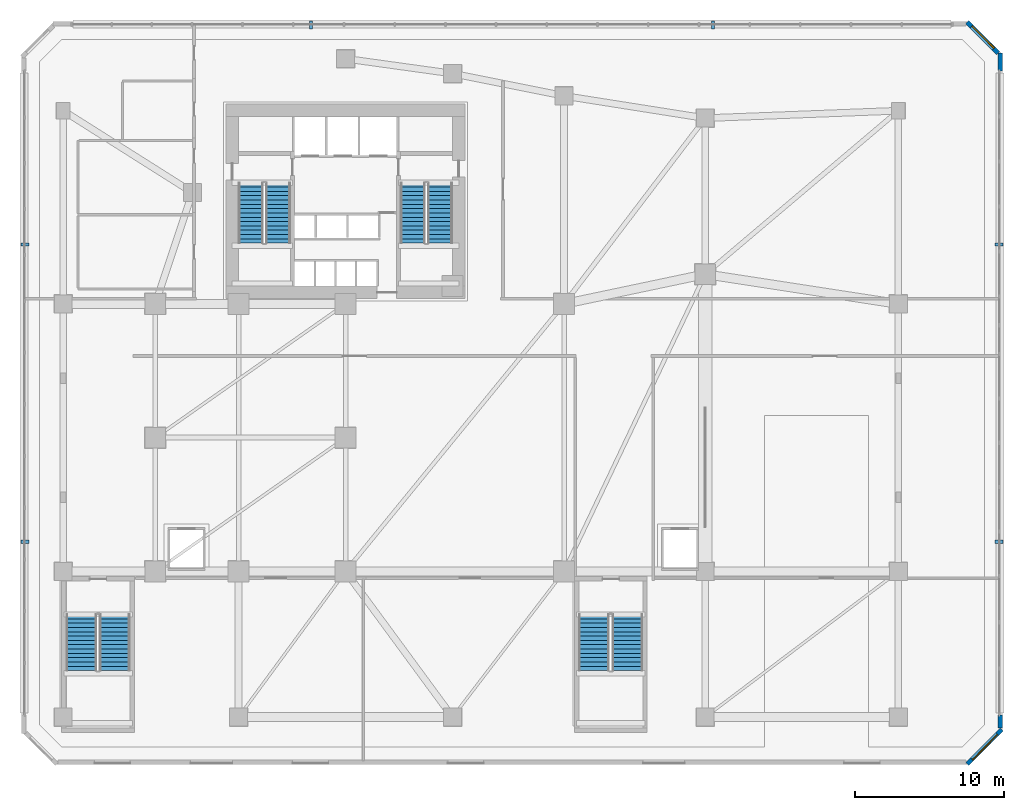
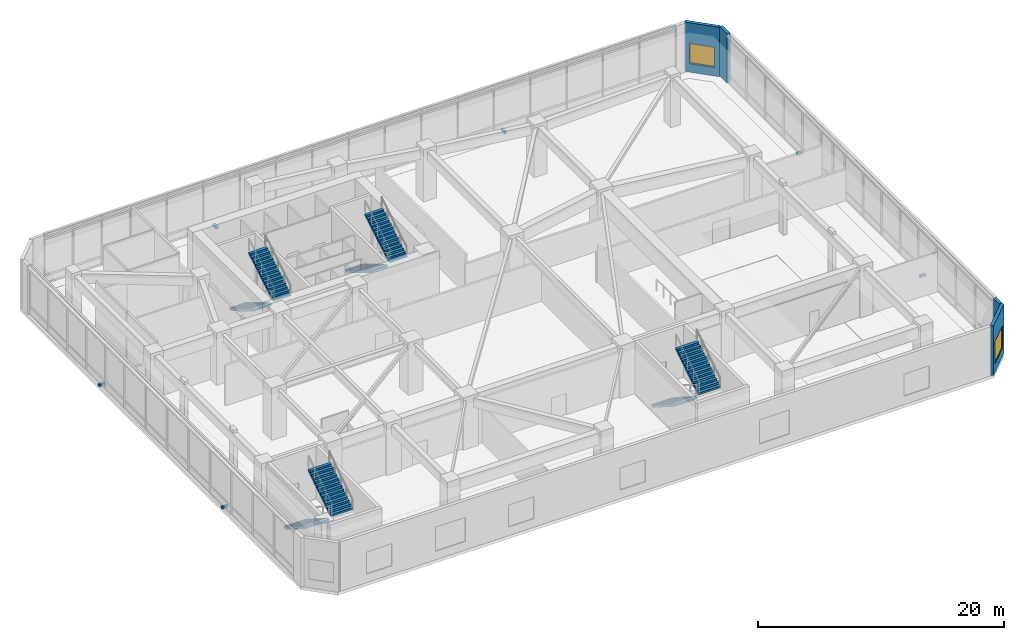
# One storey, part 12 of 18: 8 stair flights, 6 discrete accessories, 4 walls, 2 windows, 2 openings, 4 elements without a shape of their own.
"""IFC4 building model written with IfcOpenShell, lengths in metres."""

import ifcopenshell
import ifcopenshell.guid

model = None  # the IFC model being written
_history = None  # IfcOwnerHistory: only IFC2X3 demands one
_inside = {}  # id of a spatial element -> (the spatial element, [elements in it])
_under = {}  # id of a project, library or spatial element -> (it, [spatial elements below it])
_declared = {}  # id of a project -> (the project, [libraries it declares])
_typed = {}  # id of a type object -> (the type object, [elements of that type])
_made_of = {}  # id of a material, layer set ... -> (it, [elements and type objects made of it])


def new_model(schema):
    """Start an empty IFC model of exactly this schema.

    Asked for "IFC4X3", IfcOpenShell would pick the latest addendum, in which some entities
    have other attributes; the version numbers below select the first issue.
    IFC2X3 requires an IfcOwnerHistory on every rooted entity: one is made here for all.
    """
    global model, _history
    if schema == "IFC4X3":
        model = ifcopenshell.file(schema_version=(4, 3, 0, 0))
    else:
        model = ifcopenshell.file(schema=schema)
    _inside.clear()
    _under.clear()
    _declared.clear()
    _typed.clear()
    _made_of.clear()
    _history = None
    if model.schema == "IFC2X3":
        org = make("IfcOrganization", Name="unknown")
        user = make(
            "IfcPersonAndOrganization",
            ThePerson=make("IfcPerson", FamilyName="unknown"),
            TheOrganization=org,
        )
        app = make(
            "IfcApplication",
            ApplicationDeveloper=org,
            Version="unknown",
            ApplicationFullName="unknown",
            ApplicationIdentifier="unknown",
        )
        _history = make(
            "IfcOwnerHistory",
            OwningUser=user,
            OwningApplication=app,
            ChangeAction="ADDED",
            CreationDate=0,
        )
    return model


def make(cls, **values):
    """One entity of the class cls with the attributes given. An attribute that is None is left unset."""
    return model.create_entity(
        cls, **{name: value for name, value in values.items() if value is not None}
    )


def rooted(cls, **values):
    """An entity with a GlobalId (a new one), such as an element, a storey or a relation."""
    return make(cls, GlobalId=ifcopenshell.guid.new(), OwnerHistory=_history, **values)


def si_unit(unit_type, name, prefix=None):
    """IfcSIUnit, for example si_unit("LENGTHUNIT", "METRE", prefix="MILLI")."""
    return make("IfcSIUnit", UnitType=unit_type, Prefix=prefix, Name=name)


def assignment(units):
    """IfcUnitAssignment: the units of a project."""
    return None if units is None else make("IfcUnitAssignment", Units=units)


def point(xyz):
    """IfcCartesianPoint."""
    return None if xyz is None else make("IfcCartesianPoint", Coordinates=xyz)


def direction(xyz):
    """IfcDirection."""
    return None if xyz is None else make("IfcDirection", DirectionRatios=xyz)


def frame(location, z_axis=None, x_axis=None):
    """IfcAxis2Placement3D, a coordinate frame: its origin and axes. An axis left out is left unset."""
    return make(
        "IfcAxis2Placement3D",
        Location=point(location),
        Axis=direction(z_axis),
        RefDirection=direction(x_axis),
    )


def frame_2d(location, x_axis=None):
    """IfcAxis2Placement2D, a coordinate frame in the plane: its origin and x axis."""
    return make(
        "IfcAxis2Placement2D", Location=point(location), RefDirection=direction(x_axis)
    )


def origin():
    """The frame at (0, 0, 0) with its axes left unset."""
    return frame((0.0, 0.0, 0.0))


def origin_2d():
    """The frame at (0, 0) in the plane with its x axis left unset."""
    return frame_2d((0.0, 0.0))


def place(relative_to, where):
    """IfcLocalPlacement: puts the frame where relative to a parent placement (None: the world)."""
    return make(
        "IfcLocalPlacement", PlacementRelTo=relative_to, RelativePlacement=where
    )


def context(
    kind, dimensions, precision=None, world=None, true_north=None, identifier=None
):
    """IfcGeometricRepresentationContext, for example the 3D "Model" context."""
    return make(
        "IfcGeometricRepresentationContext",
        ContextIdentifier=identifier,
        ContextType=kind,
        CoordinateSpaceDimension=dimensions,
        Precision=precision,
        WorldCoordinateSystem=world,
        TrueNorth=true_north,
    )


def subcontext(parent, identifier, kind, view, scale=None):
    """IfcGeometricRepresentationSubContext, for example "Body" below "Model"."""
    return make(
        "IfcGeometricRepresentationSubContext",
        ContextIdentifier=identifier,
        ContextType=kind,
        ParentContext=parent,
        TargetScale=scale,
        TargetView=view,
    )


def project(units=None, contexts=None):
    """IfcProject with its units and contexts."""
    return rooted(
        "IfcProject",
        Name="project",
        RepresentationContexts=contexts,
        UnitsInContext=assignment(units),
    )


def spatial(cls, under=None, at=None, **own):
    """A site, building, storey or space (cls), placed at a placement, below another one or the project."""
    s = rooted(cls, ObjectPlacement=at, **own)
    if under is not None:
        _under.setdefault(under.id(), (under, []))[1].append(s)
    return s


def polyline(points):
    """IfcPolyline through the points."""
    return make("IfcPolyline", Points=[point(p) for p in points])


def profile(cls, at=None, kind="AREA", **sizes):
    """A parametric profile (cls). Its sizes go by their IFC names, for example OverallWidth=200.0."""
    return make(cls, ProfileType=kind, Position=at, **sizes)


def rectangle(**sizes):
    """IfcRectangleProfileDef."""
    return profile("IfcRectangleProfileDef", **sizes)


def outline(outer, holes=None, kind="AREA"):
    """IfcArbitraryClosedProfileDef: a profile drawn as a closed curve; with holes, ...WithVoids."""
    if holes is None:
        return make("IfcArbitraryClosedProfileDef", ProfileType=kind, OuterCurve=outer)
    return make(
        "IfcArbitraryProfileDefWithVoids",
        ProfileType=kind,
        OuterCurve=outer,
        InnerCurves=holes,
    )


def extrude(swept, where, along, depth):
    """IfcExtrudedAreaSolid: the profile swept, set in the frame where, extruded along a direction by depth."""
    return make(
        "IfcExtrudedAreaSolid",
        SweptArea=swept,
        Position=where,
        ExtrudedDirection=direction(along),
        Depth=depth,
    )


def shape(context_of_items, identifier, shape_type, items):
    """IfcShapeRepresentation: the items that make up one representation, for example the "Body"."""
    return make(
        "IfcShapeRepresentation",
        ContextOfItems=context_of_items,
        RepresentationIdentifier=identifier,
        RepresentationType=shape_type,
        Items=items,
    )


def source(mapping_origin, context_of_items, identifier, shape_type, items):
    """IfcRepresentationMap: a shape defined once, which mapped items show again and again."""
    return make(
        "IfcRepresentationMap",
        MappingOrigin=mapping_origin,
        MappedRepresentation=shape(context_of_items, identifier, shape_type, items),
    )


def transform(
    local_origin,
    x_axis=None,
    y_axis=None,
    z_axis=None,
    scale=None,
    scale2=None,
    scale3=None,
    uniform=True,
):
    """IfcCartesianTransformationOperator3D, or its non-uniform kind. x_axis, y_axis, z_axis: its Axis1, 2, 3."""
    if uniform:
        return make(
            "IfcCartesianTransformationOperator3D",
            Axis1=direction(x_axis),
            Axis2=direction(y_axis),
            LocalOrigin=point(local_origin),
            Scale=scale,
            Axis3=direction(z_axis),
        )
    return make(
        "IfcCartesianTransformationOperator3DnonUniform",
        Axis1=direction(x_axis),
        Axis2=direction(y_axis),
        LocalOrigin=point(local_origin),
        Scale=scale,
        Axis3=direction(z_axis),
        Scale2=scale2,
        Scale3=scale3,
    )


def mapped(mapping_source, mapping_target):
    """IfcMappedItem: shows the shape of a source again, moved by a transform."""
    return make(
        "IfcMappedItem", MappingSource=mapping_source, MappingTarget=mapping_target
    )


def material(Name=None, Category=None):
    """IfcMaterial."""
    return make("IfcMaterial", Name=Name, Category=Category)


def layer(
    of_material, thickness, ventilated=None, Name=None, Category=None, Priority=None
):
    """IfcMaterialLayer: one layer of a wall or slab, of a material (None: an air gap)."""
    return make(
        "IfcMaterialLayer",
        Material=of_material,
        LayerThickness=thickness,
        IsVentilated=ventilated,
        Name=Name,
        Category=Category,
        Priority=Priority,
    )


def layer_set(layers, Name=None):
    """IfcMaterialLayerSet."""
    return make("IfcMaterialLayerSet", MaterialLayers=layers, LayerSetName=Name)


def made_of(thing, what):
    """Note that an element or type object is made of a material, layer set ...; save() writes the relation."""
    if what is not None:
        _made_of.setdefault(what.id(), (what, []))[1].append(thing)
    return thing


def type_object(cls, material=None, **own):
    """A type object (cls), such as IfcWallType, which elements share."""
    return made_of(rooted(cls, **own), material)


def element(
    cls,
    number,
    at=None,
    inside=None,
    cuts=None,
    type_object=None,
    material=None,
    context=None,
    identifier="Body",
    shape_type=None,
    held_by="IfcProductDefinitionShape",
    body=None,
    shapes=None,
    **own,
):
    """One element of the class cls, such as IfcWall. Its Tag is "e" and its number.

    at: its placement. inside: the storey or other place that contains it. cuts: it is an
    opening in that element (IfcRelVoidsElement). A single representation is given by context,
    identifier, shape_type and body (its items); several are given by shapes. held_by: the class
    of the entity that holds the representations. save() writes the other relations.
    """
    e = rooted(cls, Tag="e%d" % number, ObjectPlacement=at, **own)
    if body is not None:
        shapes = [shape(context, identifier, shape_type, body)]
    if shapes is not None:
        e.Representation = make(held_by, Representations=shapes)
    if inside is not None:
        _inside.setdefault(inside.id(), (inside, []))[1].append(e)
    if cuts is not None:
        rooted(
            "IfcRelVoidsElement", RelatingBuildingElement=cuts, RelatedOpeningElement=e
        )
    if type_object is not None:
        _typed.setdefault(type_object.id(), (type_object, []))[1].append(e)
    return made_of(e, material)


def fill(opening, filler):
    """IfcRelFillsElement: the door or window that sits in an opening."""
    return rooted(
        "IfcRelFillsElement",
        RelatingOpeningElement=opening,
        RelatedBuildingElement=filler,
    )


def aggregate(whole, parts):
    """IfcRelAggregates: a whole, such as a stair, and the parts it consists of."""
    return rooted("IfcRelAggregates", RelatingObject=whole, RelatedObjects=parts)


def save(model, path):
    """Write the relations noted so far, then the file.

    IfcRelAggregates (storeys below a building ...), IfcRelContainedInSpatialStructure (elements
    in a storey), IfcRelDefinesByType, IfcRelAssociatesMaterial and IfcRelDeclares: one each for
    every whole, place, type object, material and project.
    """
    for whole, parts in _under.values():
        aggregate(whole, parts)
    for where, things in _inside.values():
        rooted(
            "IfcRelContainedInSpatialStructure",
            RelatedElements=things,
            RelatingStructure=where,
        )
    for kind, things in _typed.values():
        rooted("IfcRelDefinesByType", RelatedObjects=things, RelatingType=kind)
    for what, things in _made_of.values():
        rooted("IfcRelAssociatesMaterial", RelatedObjects=things, RelatingMaterial=what)
    for by, libraries in _declared.values():
        rooted("IfcRelDeclares", RelatingContext=by, RelatedDefinitions=libraries)
    model.write(path)


model = new_model("IFC4")

# Units and contexts
model_context = context("Model", 3, precision=1e-05, world=origin(), true_north=direction((0.0, 1.0)))
body_context = subcontext(model_context, "Body", "Model", "MODEL_VIEW")
ifc_project = project(units=[si_unit("LENGTHUNIT", "METRE"), si_unit("AREAUNIT", "SQUARE_METRE"), si_unit("VOLUMEUNIT", "CUBIC_METRE"), si_unit("PLANEANGLEUNIT", "RADIAN"), si_unit("MASSUNIT", "GRAM", prefix="KILO")], contexts=[model_context])

# Site, building, storey
site_placement = place(None, origin())
site = spatial("IfcSite", under=ifc_project, at=site_placement, CompositionType="ELEMENT")
building_placement = place(site_placement, origin())
building = spatial("IfcBuilding", under=site, at=building_placement, Name="Calvemar Wedge Station Tower", CompositionType="ELEMENT")
storey_placement = place(building_placement, frame((0.0, 0.0, 11.199951171875)))
storey = spatial("IfcBuildingStorey", under=building, at=storey_placement, Name="L03", CompositionType="ELEMENT", Elevation=11.199951171875)

# Wall, opening, window
ifc_material_1 = material(Name="Precast concrete C45", Category="concrete")
ifc_layer = layer(ifc_material_1, 0.300048828125)
ifc_layer_set = layer_set([ifc_layer], Name="Precast concrete C45")
wall_type = type_object("IfcWallType", Name="W-EXT-GFRC-300", PredefinedType="SOLIDWALL", material=ifc_layer_set)
wall_1_placement = place(storey_placement, frame((65.6318359375, 2.0439453125, 0.0), z_axis=(0.0, 0.0, 1.0), x_axis=(0.707106781187, 0.707106781187, 0.0)))
wall_1 = element("IfcWall", 1, at=wall_1_placement, inside=storey, type_object=wall_type, Name="Storey L03 Bronze GFRC Exterior Wall 1", PredefinedType="SOLIDWALL", context=body_context, shape_type="SweptSolid", body=[
    extrude(rectangle(XDim=3.286865234375, YDim=0.300048828125, at=frame_2d((1.6435546875, 0.0))), origin(), (0.0, 0.0, 1.0), 4.900146484375),
])
shared_shape_1 = source(origin(), body_context, "Body", "SweptSolid", [
    extrude(rectangle(XDim=2.39990234375, YDim=2.199951171875, at=frame_2d((1.199951171875, 1.10009765625))), frame((0.0, 0.16015625, 0.0), z_axis=(0.0, -1.0, 0.0), x_axis=(1.0, 0.0, 0.0)), (0.0, 0.0, 1.0), 0.320068359375),
])
opening_1_placement = place(wall_1_placement, frame((0.444091796875, 0.0, 0.85009765625)))
opening_1 = element("IfcOpeningElement", 2, at=opening_1_placement, cuts=wall_1, Name="Opening W1", PredefinedType="OPENING", context=body_context, shape_type="MappedRepresentation", body=[
    mapped(shared_shape_1, transform((0.0, 0.0, 0.0), scale=1.0)),
])
ifc_material_2 = material(Name="Low-E laminated insulated glass", Category="glass")
window_type_1 = type_object("IfcWindowType", Name="WIN-EXT-1", PartitioningType="SINGLE_PANEL", PredefinedType="WINDOW", material=ifc_material_2)
shared_shape_2 = source(origin(), body_context, "Body", "SweptSolid", [
    extrude(rectangle(XDim=2.39990234375, YDim=2.199951171875, at=frame_2d((1.199951171875, 1.10009765625))), frame((0.0, -0.014892578125, 0.0), z_axis=(0.0, -1.0, 0.0), x_axis=(1.0, 0.0, 0.0)), (0.0, 0.0, 1.0), 0.06005859375),
])
window_1_placement = place(opening_1_placement, origin())
window_1 = element("IfcWindow", 3, at=window_1_placement, inside=storey, type_object=window_type_1, Name="Storey L03 Recessed Window 1.1", OverallHeight=2.199951171875, OverallWidth=2.39990234375, PartitioningType="SINGLE_PANEL", PredefinedType="WINDOW", context=body_context, shape_type="MappedRepresentation", body=[
    mapped(shared_shape_2, transform((0.0, 0.0, 0.0), scale=1.0)),
])
fill(opening_1, window_1)

# Walls
wall_2_placement = place(storey_placement, frame((67.85009765625, 4.457275390625, 0.0), z_axis=(0.0, 0.0, 1.0), x_axis=(0.0, 1.0, 0.0)))
element("IfcWall", 4, at=wall_2_placement, inside=storey, type_object=wall_type, Name="Storey L03 Bronze GFRC Corner Pier 2A", PredefinedType="SOLIDWALL", context=body_context, shape_type="SweptSolid", body=[
    extrude(rectangle(XDim=0.87744140625, YDim=0.300048828125, at=frame_2d((0.438720703125, 0.0))), origin(), (0.0, 0.0, 1.0), 4.900146484375),
])
wall_3_placement = place(storey_placement, frame((67.85009765625, 48.665283203125, 0.0), z_axis=(0.0, 0.0, 1.0), x_axis=(0.0, 1.0, 0.0)))
element("IfcWall", 5, at=wall_3_placement, inside=storey, type_object=wall_type, Name="Storey L03 Bronze GFRC Corner Pier 2B", PredefinedType="SOLIDWALL", context=body_context, shape_type="SweptSolid", body=[
    extrude(rectangle(XDim=1.22265625, YDim=0.300048828125, at=frame_2d((0.611328125, 0.0))), origin(), (0.0, 0.0, 1.0), 4.900146484375),
])

# Wall, opening, window
wall_4_placement = place(storey_placement, frame((67.7119140625, 49.8759765625, 0.0), z_axis=(0.0, 0.0, 1.0), x_axis=(-0.707106781187, 0.707106781187, 0.0)))
wall_4 = element("IfcWall", 6, at=wall_4_placement, inside=storey, type_object=wall_type, Name="Storey L03 Bronze GFRC Exterior Wall 3", PredefinedType="SOLIDWALL", context=body_context, shape_type="SweptSolid", body=[
    extrude(rectangle(XDim=2.941650390625, YDim=0.300048828125, at=frame_2d((1.470703125, 0.0))), origin(), (0.0, 0.0, 1.0), 4.900146484375),
])
shared_shape_3 = source(origin(), body_context, "Body", "SweptSolid", [
    extrude(rectangle(XDim=2.10009765625, YDim=2.0, at=frame_2d((1.050048828125, 1.0))), frame((0.0, 0.16015625, 0.0), z_axis=(0.0, -1.0, 0.0), x_axis=(1.0, 0.0, 0.0)), (0.0, 0.0, 1.0), 0.320068359375),
])
opening_2_placement = place(wall_4_placement, frame((0.4208984375, 0.0, 0.85009765625)))
opening_2 = element("IfcOpeningElement", 7, at=opening_2_placement, cuts=wall_4, Name="Opening W4", PredefinedType="OPENING", context=body_context, shape_type="MappedRepresentation", body=[
    mapped(shared_shape_3, transform((0.0, 0.0, 0.0), scale=1.0)),
])
window_type_2 = type_object("IfcWindowType", Name="WIN-EXT-4", PartitioningType="SINGLE_PANEL", PredefinedType="WINDOW", material=ifc_material_2)
shared_shape_4 = source(origin(), body_context, "Body", "SweptSolid", [
    extrude(rectangle(XDim=2.10009765625, YDim=2.0, at=frame_2d((1.050048828125, 1.0))), frame((0.0, -0.014892578125, 0.0), z_axis=(0.0, -1.0, 0.0), x_axis=(1.0, 0.0, 0.0)), (0.0, 0.0, 1.0), 0.06005859375),
])
window_2_placement = place(opening_2_placement, origin())
window_2 = element("IfcWindow", 8, at=window_2_placement, inside=storey, type_object=window_type_2, Name="Storey L03 Recessed Window 3.1", OverallHeight=2.0, OverallWidth=2.10009765625, PartitioningType="SINGLE_PANEL", PredefinedType="WINDOW", context=body_context, shape_type="MappedRepresentation", body=[
    mapped(shared_shape_4, transform((0.0, 0.0, 0.0), scale=1.0)),
])
fill(opening_2, window_2)

# Stair, stair flights
ifc_material_3 = material(Name="Concrete C45", Category="concrete")
stair_type_1 = type_object("IfcStairType", Name="ST-TYPE-5200", PredefinedType="HALF_TURN_STAIR", material=ifc_material_3)
stair_1_placement = place(storey_placement, origin())
stair_1 = element("IfcStair", 9, at=stair_1_placement, inside=storey, type_object=stair_type_1, Name="L03 Pressurized Core Exit Stair ST-C1", PredefinedType="HALF_TURN_STAIR")
stair_flight_type_1 = type_object("IfcStairFlightType", Name="STF-TYPE-5200", PredefinedType="STRAIGHT", material=ifc_material_3)
stair_flight_1_placement = place(storey_placement, frame((17.429931640625, 41.14990234375, 0.0), z_axis=(0.0, 0.0, 1.0), x_axis=(0.0, -1.0, 0.0)))
stair_flight_1 = element("IfcStairFlight", 10, at=stair_flight_1_placement, type_object=stair_flight_type_1, Name="ST-C1 flight 1", NumberOfRisers=15, NumberOfTreads=14, PredefinedType="STRAIGHT", RiserHeight=0.173333333, TreadLength=0.29, context=body_context, shape_type="SweptSolid", body=[
    extrude(outline(polyline([(0.0, 0.0), (0.0, 0.17333984375), (0.2900390625, 0.17333984375), (0.2900390625, 0.3466796875), (0.580078125, 0.3466796875), (0.580078125, 0.52001953125), (0.8701171875, 0.52001953125), (0.8701171875, 0.693359375), (1.159912109375, 0.693359375), (1.159912109375, 0.86669921875), (1.449951171875, 0.86669921875), (1.449951171875, 1.0400390625), (1.739990234375, 1.0400390625), (1.739990234375, 1.21337890625), (2.030029296875, 1.21337890625), (2.030029296875, 1.38671875), (2.320068359375, 1.38671875), (2.320068359375, 1.56005859375), (2.610107421875, 1.56005859375), (2.610107421875, 1.7333984375), (2.89990234375, 1.7333984375), (2.89990234375, 1.90673828125), (3.18994140625, 1.90673828125), (3.18994140625, 2.080078125), (3.47998046875, 2.080078125), (3.47998046875, 2.25341796875), (3.77001953125, 2.25341796875), (3.77001953125, 2.4267578125), (4.06005859375, 2.4267578125), (4.06005859375, 2.60009765625), (4.06005859375, 2.251953125), (0.292236328125, 0.0), (0.0, 0.0)])), frame((0.0, 0.830078125, 0.0), z_axis=(0.0, -1.0, 0.0), x_axis=(1.0, 0.0, 0.0)), (0.0, 0.0, 1.0), 1.659912109375),
])
stair_flight_2_placement = place(storey_placement, frame((19.27001953125, 37.090087890625, 2.60009765625), z_axis=(0.0, 0.0, 1.0), x_axis=(0.0, 1.0, 0.0)))
stair_flight_2 = element("IfcStairFlight", 11, at=stair_flight_2_placement, type_object=stair_flight_type_1, Name="ST-C1 flight 2", NumberOfRisers=15, NumberOfTreads=14, PredefinedType="STRAIGHT", RiserHeight=0.173333333, TreadLength=0.29, context=body_context, shape_type="SweptSolid", body=[
    extrude(outline(polyline([(0.0, 0.0), (0.0, 0.17333984375), (0.2900390625, 0.17333984375), (0.2900390625, 0.3466796875), (0.580078125, 0.3466796875), (0.580078125, 0.52001953125), (0.8701171875, 0.52001953125), (0.8701171875, 0.693359375), (1.159912109375, 0.693359375), (1.159912109375, 0.86669921875), (1.449951171875, 0.86669921875), (1.449951171875, 1.0400390625), (1.739990234375, 1.0400390625), (1.739990234375, 1.21337890625), (2.030029296875, 1.21337890625), (2.030029296875, 1.38671875), (2.320068359375, 1.38671875), (2.320068359375, 1.56005859375), (2.610107421875, 1.56005859375), (2.610107421875, 1.7333984375), (2.89990234375, 1.7333984375), (2.89990234375, 1.90673828125), (3.18994140625, 1.90673828125), (3.18994140625, 2.080078125), (3.47998046875, 2.080078125), (3.47998046875, 2.25341796875), (3.77001953125, 2.25341796875), (3.77001953125, 2.4267578125), (4.06005859375, 2.4267578125), (4.06005859375, 2.60009765625), (4.06005859375, 2.251953125), (0.292236328125, 0.0), (0.0, 0.0)])), frame((0.0, 0.830078125, 0.0), z_axis=(0.0, -1.0, 0.0), x_axis=(1.0, 0.0, 0.0)), (0.0, 0.0, 1.0), 1.659912109375),
])
aggregate(stair_1, [stair_flight_1, stair_flight_2])

stair_2_placement = place(storey_placement, origin())
stair_2 = element("IfcStair", 12, at=stair_2_placement, inside=storey, type_object=stair_type_1, Name="L03 Pressurized Core Exit Stair ST-C2", PredefinedType="HALF_TURN_STAIR")
stair_flight_3_placement = place(storey_placement, frame((28.330078125, 41.14990234375, 0.0), z_axis=(0.0, 0.0, 1.0), x_axis=(0.0, -1.0, 0.0)))
stair_flight_3 = element("IfcStairFlight", 13, at=stair_flight_3_placement, type_object=stair_flight_type_1, Name="ST-C2 flight 1", NumberOfRisers=15, NumberOfTreads=14, PredefinedType="STRAIGHT", RiserHeight=0.173333333, TreadLength=0.29, context=body_context, shape_type="SweptSolid", body=[
    extrude(outline(polyline([(0.0, 0.0), (0.0, 0.17333984375), (0.2900390625, 0.17333984375), (0.2900390625, 0.3466796875), (0.580078125, 0.3466796875), (0.580078125, 0.52001953125), (0.8701171875, 0.52001953125), (0.8701171875, 0.693359375), (1.159912109375, 0.693359375), (1.159912109375, 0.86669921875), (1.449951171875, 0.86669921875), (1.449951171875, 1.0400390625), (1.739990234375, 1.0400390625), (1.739990234375, 1.21337890625), (2.030029296875, 1.21337890625), (2.030029296875, 1.38671875), (2.320068359375, 1.38671875), (2.320068359375, 1.56005859375), (2.610107421875, 1.56005859375), (2.610107421875, 1.7333984375), (2.89990234375, 1.7333984375), (2.89990234375, 1.90673828125), (3.18994140625, 1.90673828125), (3.18994140625, 2.080078125), (3.47998046875, 2.080078125), (3.47998046875, 2.25341796875), (3.77001953125, 2.25341796875), (3.77001953125, 2.4267578125), (4.06005859375, 2.4267578125), (4.06005859375, 2.60009765625), (4.06005859375, 2.251953125), (0.292236328125, 0.0), (0.0, 0.0)])), frame((0.0, 0.830078125, 0.0), z_axis=(0.0, -1.0, 0.0), x_axis=(1.0, 0.0, 0.0)), (0.0, 0.0, 1.0), 1.659912109375),
])
stair_flight_4_placement = place(storey_placement, frame((30.169921875, 37.090087890625, 2.60009765625), z_axis=(0.0, 0.0, 1.0), x_axis=(0.0, 1.0, 0.0)))
stair_flight_4 = element("IfcStairFlight", 14, at=stair_flight_4_placement, type_object=stair_flight_type_1, Name="ST-C2 flight 2", NumberOfRisers=15, NumberOfTreads=14, PredefinedType="STRAIGHT", RiserHeight=0.173333333, TreadLength=0.29, context=body_context, shape_type="SweptSolid", body=[
    extrude(outline(polyline([(0.0, 0.0), (0.0, 0.17333984375), (0.2900390625, 0.17333984375), (0.2900390625, 0.3466796875), (0.580078125, 0.3466796875), (0.580078125, 0.52001953125), (0.8701171875, 0.52001953125), (0.8701171875, 0.693359375), (1.159912109375, 0.693359375), (1.159912109375, 0.86669921875), (1.449951171875, 0.86669921875), (1.449951171875, 1.0400390625), (1.739990234375, 1.0400390625), (1.739990234375, 1.21337890625), (2.030029296875, 1.21337890625), (2.030029296875, 1.38671875), (2.320068359375, 1.38671875), (2.320068359375, 1.56005859375), (2.610107421875, 1.56005859375), (2.610107421875, 1.7333984375), (2.89990234375, 1.7333984375), (2.89990234375, 1.90673828125), (3.18994140625, 1.90673828125), (3.18994140625, 2.080078125), (3.47998046875, 2.080078125), (3.47998046875, 2.25341796875), (3.77001953125, 2.25341796875), (3.77001953125, 2.4267578125), (4.06005859375, 2.4267578125), (4.06005859375, 2.60009765625), (4.06005859375, 2.251953125), (0.292236328125, 0.0), (0.0, 0.0)])), frame((0.0, 0.830078125, 0.0), z_axis=(0.0, -1.0, 0.0), x_axis=(1.0, 0.0, 0.0)), (0.0, 0.0, 1.0), 1.659912109375),
])
aggregate(stair_2, [stair_flight_3, stair_flight_4])

stair_type_2 = type_object("IfcStairType", Name="ST-TYPE-POD5200", PredefinedType="HALF_TURN_STAIR", material=ifc_material_3)
stair_3_placement = place(storey_placement, origin())
stair_3 = element("IfcStair", 15, at=stair_3_placement, inside=storey, type_object=stair_type_2, Name="L03 Station Podium Exit Stair ST-P1", PredefinedType="HALF_TURN_STAIR")
stair_flight_type_2 = type_object("IfcStairFlightType", Name="STF-TYPE-POD5200", PredefinedType="STRAIGHT", material=ifc_material_3)
stair_flight_5_placement = place(storey_placement, frame((6.02490234375, 12.10009765625, 0.0), z_axis=(0.0, 0.0, 1.0), x_axis=(0.0, -1.0, 0.0)))
stair_flight_5 = element("IfcStairFlight", 16, at=stair_flight_5_placement, type_object=stair_flight_type_2, Name="ST-P1 flight 1", NumberOfRisers=14, NumberOfTreads=13, PredefinedType="STRAIGHT", RiserHeight=0.185714286, TreadLength=0.29, context=body_context, shape_type="SweptSolid", body=[
    extrude(outline(polyline([(0.0, 0.0), (0.0, 0.185791015625), (0.2900390625, 0.185791015625), (0.2900390625, 0.371337890625), (0.580078125, 0.371337890625), (0.580078125, 0.55712890625), (0.8701171875, 0.55712890625), (0.8701171875, 0.742919921875), (1.159912109375, 0.742919921875), (1.159912109375, 0.928466796875), (1.449951171875, 0.928466796875), (1.449951171875, 1.1142578125), (1.739990234375, 1.1142578125), (1.739990234375, 1.300048828125), (2.030029296875, 1.300048828125), (2.030029296875, 1.485595703125), (2.320068359375, 1.485595703125), (2.320068359375, 1.67138671875), (2.610107421875, 1.67138671875), (2.610107421875, 1.857177734375), (2.89990234375, 1.857177734375), (2.89990234375, 2.04296875), (3.18994140625, 2.04296875), (3.18994140625, 2.228515625), (3.47998046875, 2.228515625), (3.47998046875, 2.414306640625), (3.77001953125, 2.414306640625), (3.77001953125, 2.60009765625), (3.77001953125, 2.236328125), (0.278076171875, 0.0), (0.0, 0.0)])), frame((0.0, 1.02490234375, 0.0), z_axis=(0.0, -1.0, 0.0), x_axis=(1.0, 0.0, 0.0)), (0.0, 0.0, 1.0), 2.050048828125),
])
stair_flight_6_placement = place(storey_placement, frame((8.27490234375, 8.330078125, 2.60009765625), z_axis=(0.0, 0.0, 1.0), x_axis=(0.0, 1.0, 0.0)))
stair_flight_6 = element("IfcStairFlight", 17, at=stair_flight_6_placement, type_object=stair_flight_type_2, Name="ST-P1 flight 2", NumberOfRisers=14, NumberOfTreads=13, PredefinedType="STRAIGHT", RiserHeight=0.185714286, TreadLength=0.29, context=body_context, shape_type="SweptSolid", body=[
    extrude(outline(polyline([(0.0, 0.0), (0.0, 0.185791015625), (0.2900390625, 0.185791015625), (0.2900390625, 0.371337890625), (0.580078125, 0.371337890625), (0.580078125, 0.55712890625), (0.8701171875, 0.55712890625), (0.8701171875, 0.742919921875), (1.159912109375, 0.742919921875), (1.159912109375, 0.928466796875), (1.449951171875, 0.928466796875), (1.449951171875, 1.1142578125), (1.739990234375, 1.1142578125), (1.739990234375, 1.300048828125), (2.030029296875, 1.300048828125), (2.030029296875, 1.485595703125), (2.320068359375, 1.485595703125), (2.320068359375, 1.67138671875), (2.610107421875, 1.67138671875), (2.610107421875, 1.857177734375), (2.89990234375, 1.857177734375), (2.89990234375, 2.04296875), (3.18994140625, 2.04296875), (3.18994140625, 2.228515625), (3.47998046875, 2.228515625), (3.47998046875, 2.414306640625), (3.77001953125, 2.414306640625), (3.77001953125, 2.60009765625), (3.77001953125, 2.236328125), (0.278076171875, 0.0), (0.0, 0.0)])), frame((0.0, 1.02490234375, 0.0), z_axis=(0.0, -1.0, 0.0), x_axis=(1.0, 0.0, 0.0)), (0.0, 0.0, 1.0), 2.050048828125),
])
aggregate(stair_3, [stair_flight_5, stair_flight_6])

stair_4_placement = place(storey_placement, origin())
stair_4 = element("IfcStair", 18, at=stair_4_placement, inside=storey, type_object=stair_type_2, Name="L03 Station Podium Exit Stair ST-P2", PredefinedType="HALF_TURN_STAIR")
stair_flight_7_placement = place(storey_placement, frame((40.52490234375, 12.10009765625, 0.0), z_axis=(0.0, 0.0, 1.0), x_axis=(0.0, -1.0, 0.0)))
stair_flight_7 = element("IfcStairFlight", 19, at=stair_flight_7_placement, type_object=stair_flight_type_2, Name="ST-P2 flight 1", NumberOfRisers=14, NumberOfTreads=13, PredefinedType="STRAIGHT", RiserHeight=0.185714286, TreadLength=0.29, context=body_context, shape_type="SweptSolid", body=[
    extrude(outline(polyline([(0.0, 0.0), (0.0, 0.185791015625), (0.2900390625, 0.185791015625), (0.2900390625, 0.371337890625), (0.580078125, 0.371337890625), (0.580078125, 0.55712890625), (0.8701171875, 0.55712890625), (0.8701171875, 0.742919921875), (1.159912109375, 0.742919921875), (1.159912109375, 0.928466796875), (1.449951171875, 0.928466796875), (1.449951171875, 1.1142578125), (1.739990234375, 1.1142578125), (1.739990234375, 1.300048828125), (2.030029296875, 1.300048828125), (2.030029296875, 1.485595703125), (2.320068359375, 1.485595703125), (2.320068359375, 1.67138671875), (2.610107421875, 1.67138671875), (2.610107421875, 1.857177734375), (2.89990234375, 1.857177734375), (2.89990234375, 2.04296875), (3.18994140625, 2.04296875), (3.18994140625, 2.228515625), (3.47998046875, 2.228515625), (3.47998046875, 2.414306640625), (3.77001953125, 2.414306640625), (3.77001953125, 2.60009765625), (3.77001953125, 2.236328125), (0.278076171875, 0.0), (0.0, 0.0)])), frame((0.0, 1.02490234375, 0.0), z_axis=(0.0, -1.0, 0.0), x_axis=(1.0, 0.0, 0.0)), (0.0, 0.0, 1.0), 2.050048828125),
])
stair_flight_8_placement = place(storey_placement, frame((42.77490234375, 8.330078125, 2.60009765625), z_axis=(0.0, 0.0, 1.0), x_axis=(0.0, 1.0, 0.0)))
stair_flight_8 = element("IfcStairFlight", 20, at=stair_flight_8_placement, type_object=stair_flight_type_2, Name="ST-P2 flight 2", NumberOfRisers=14, NumberOfTreads=13, PredefinedType="STRAIGHT", RiserHeight=0.185714286, TreadLength=0.29, context=body_context, shape_type="SweptSolid", body=[
    extrude(outline(polyline([(0.0, 0.0), (0.0, 0.185791015625), (0.2900390625, 0.185791015625), (0.2900390625, 0.371337890625), (0.580078125, 0.371337890625), (0.580078125, 0.55712890625), (0.8701171875, 0.55712890625), (0.8701171875, 0.742919921875), (1.159912109375, 0.742919921875), (1.159912109375, 0.928466796875), (1.449951171875, 0.928466796875), (1.449951171875, 1.1142578125), (1.739990234375, 1.1142578125), (1.739990234375, 1.300048828125), (2.030029296875, 1.300048828125), (2.030029296875, 1.485595703125), (2.320068359375, 1.485595703125), (2.320068359375, 1.67138671875), (2.610107421875, 1.67138671875), (2.610107421875, 1.857177734375), (2.89990234375, 1.857177734375), (2.89990234375, 2.04296875), (3.18994140625, 2.04296875), (3.18994140625, 2.228515625), (3.47998046875, 2.228515625), (3.47998046875, 2.414306640625), (3.77001953125, 2.414306640625), (3.77001953125, 2.60009765625), (3.77001953125, 2.236328125), (0.278076171875, 0.0), (0.0, 0.0)])), frame((0.0, 1.02490234375, 0.0), z_axis=(0.0, -1.0, 0.0), x_axis=(1.0, 0.0, 0.0)), (0.0, 0.0, 1.0), 2.050048828125),
])
aggregate(stair_4, [stair_flight_7, stair_flight_8])

# Discrete accessories
ifc_material_4 = material(Name="Stainless steel AISI 316L", Category="steel")
discrete_accessory_type = type_object("IfcDiscreteAccessoryType", Name="BRK-316L", PredefinedType="BRACKET", material=ifc_material_4)
shared_shape_5 = source(origin(), body_context, "Body", "SweptSolid", [
    extrude(rectangle(XDim=0.219970703125, YDim=0.56005859375, at=origin_2d()), origin(), (0.0, 0.0, 1.0), 0.219970703125),
])
for number, where, z_axis, x_axis, name in (
    (21, (67.77001953125, 16.995361328125, 0.0), (0.0, 0.0, 1.0), (0.0, 1.0, 0.0), "Storey L03 Recessed Facade Stainless Bracket 2.1"),
    (22, (67.77001953125, 37.004638671875, 0.0), (0.0, 0.0, 1.0), (0.0, 1.0, 0.0), "Storey L03 Recessed Facade Stainless Bracket 2.2"),
    (23, (48.524658203125, 51.77001953125, 0.0), (0.0, 0.0, 1.0), (-1.0, 0.0, 0.0), "Storey L03 Recessed Facade Stainless Bracket 4.1"),
    (24, (21.475341796875, 51.77001953125, 0.0), (0.0, 0.0, 1.0), (-1.0, 0.0, 0.0), "Storey L03 Recessed Facade Stainless Bracket 4.2"),
    (25, (2.22998046875, 37.004638671875, 0.0), (0.0, 0.0, 1.0), (0.0, -1.0, 0.0), "Storey L03 Recessed Facade Stainless Bracket 6.1"),
    (26, (2.22998046875, 16.995361328125, 0.0), (0.0, 0.0, 1.0), (0.0, -1.0, 0.0), "Storey L03 Recessed Facade Stainless Bracket 6.2"),
):
    element("IfcDiscreteAccessory", number, at=place(storey_placement, frame(where, z_axis=z_axis, x_axis=x_axis)), inside=storey, type_object=discrete_accessory_type, Name=name, PredefinedType="BRACKET", context=body_context, shape_type="MappedRepresentation", body=[
        mapped(shared_shape_5, transform((0.0, 0.0, 0.0), scale=1.0)),
    ])

save(model, "model.ifc")
